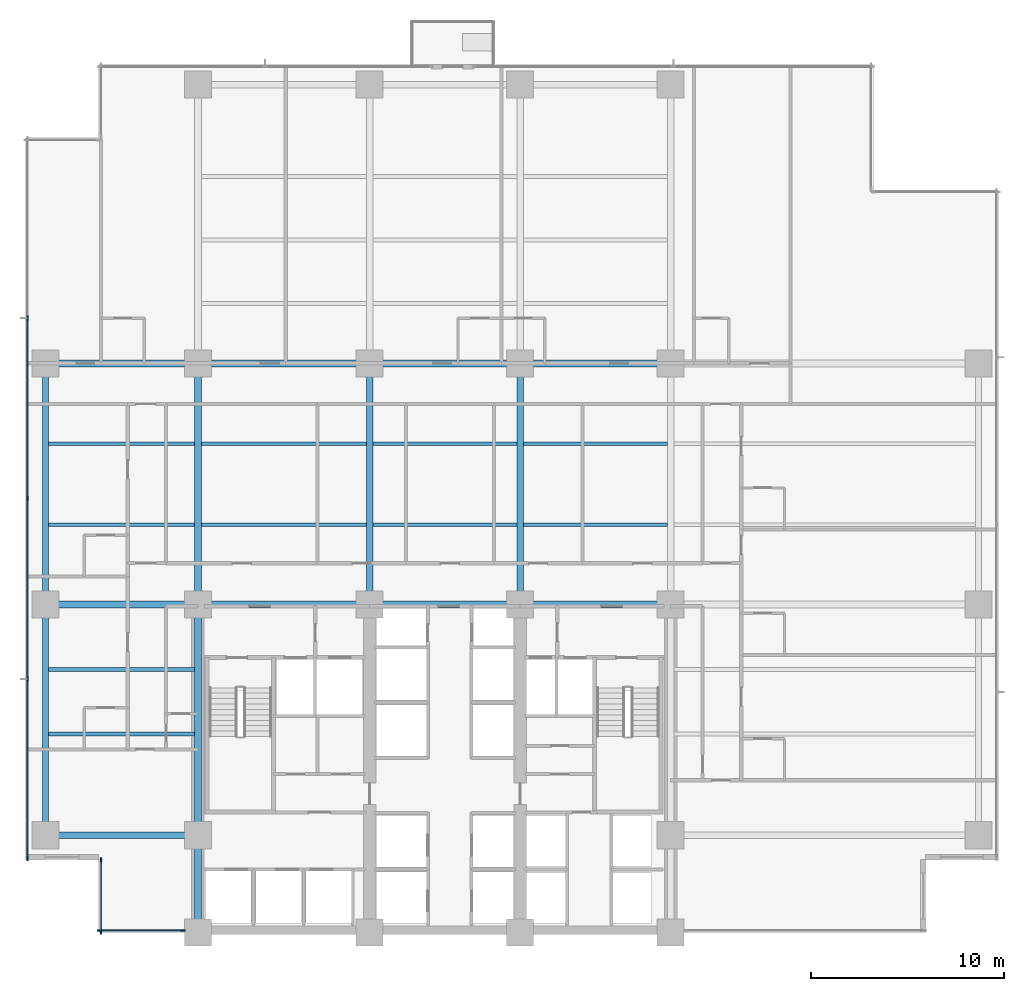
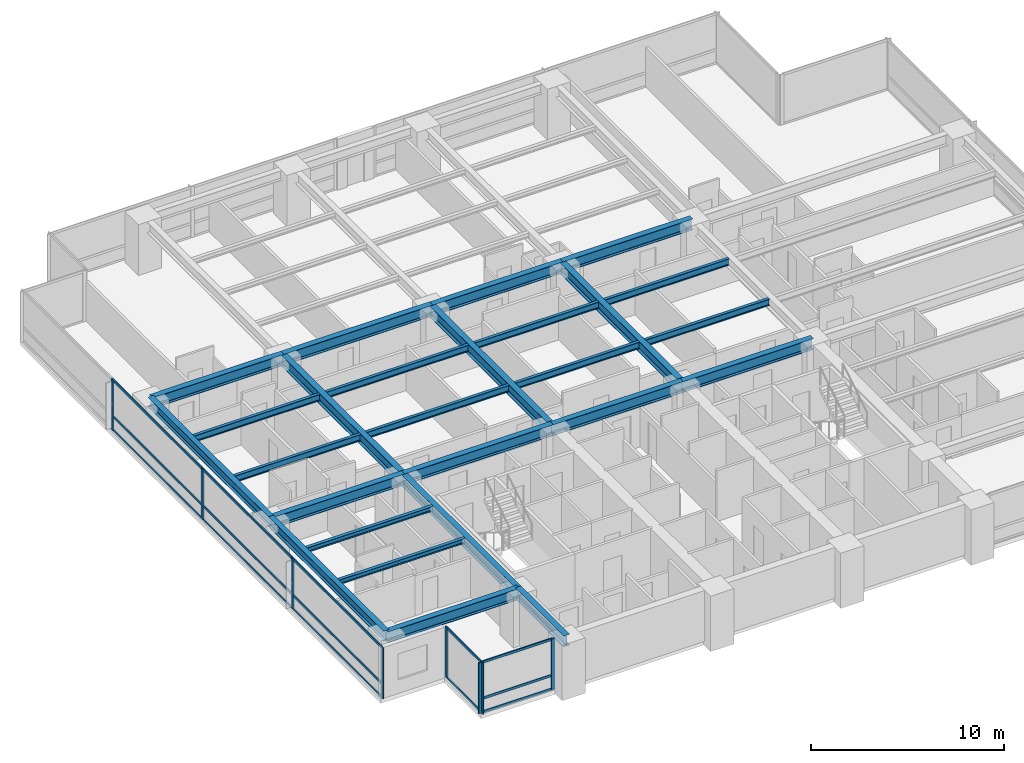
# One storey, part 2 of 17: 26 beams, 22 members, 3 elements without a shape of their own.
"""IFC4 building model written with IfcOpenShell, lengths in metres."""

from ifc_helpers import new_model, si_unit, direction, frame, origin, origin_2d, place, context, subcontext, project, spatial, rectangle, i_section, extrude, material, layer, layer_set, material_profile, profile_set, type_object, element, aggregate, save


model = new_model("IFC4")

# Units and contexts
model_context = context("Model", 3, precision=1e-05, world=origin(), true_north=direction((0.0, 1.0)))
body_context = subcontext(model_context, "Body", "Model", "MODEL_VIEW")
ifc_project = project(units=[si_unit("LENGTHUNIT", "METRE"), si_unit("AREAUNIT", "SQUARE_METRE"), si_unit("VOLUMEUNIT", "CUBIC_METRE"), si_unit("PLANEANGLEUNIT", "RADIAN"), si_unit("MASSUNIT", "GRAM", prefix="KILO")], contexts=[model_context])

# Site, building, storey
site_placement = place(None, origin())
site = spatial("IfcSite", under=ifc_project, at=site_placement, CompositionType="ELEMENT")
building_placement = place(site_placement, origin())
building = spatial("IfcBuilding", under=site, at=building_placement, Name="Qalmaran Belvedere Hotel", CompositionType="ELEMENT")
storey_placement = place(building_placement, frame((0.0, 0.0, 47.39990234375)))
storey = spatial("IfcBuildingStorey", under=building, at=storey_placement, Name="L11", CompositionType="ELEMENT", Elevation=47.39990234375)

# Beams
ifc_material_1 = material(Name="Steel S355JR", Category="steel")
ifc_material_profile_1 = material_profile(ifc_material_1, i_section(OverallWidth=0.202880859375, OverallDepth=0.302978515625, WebThickness=0.007568359375, FlangeThickness=0.01318359375, FilletRadius=0.012939453125, at=origin_2d()), Name="W310X60")
ifc_profile_set_1 = profile_set([ifc_material_profile_1], Name="Steel S355JR")
beam_type_1 = type_object("IfcBeamType", Name="BM-JST-W310X60", PredefinedType="JOIST", material=ifc_profile_set_1)
for number, where, z_axis, x_axis, name in (
    (1, (12.5615234375, 13.800048828125, 3.068603515625), (1.0, 0.0, 0.0), (0.0, 1.0, 0.0), "L11 West Wing Joist 038"),
    (2, (12.5615234375, 17.14990234375, 3.068603515625), (1.0, 0.0, 0.0), (0.0, 1.0, 0.0), "L11 West Wing Joist 040"),
):
    element("IfcBeam", number, at=place(storey_placement, frame(where, z_axis=z_axis, x_axis=x_axis)), inside=storey, type_object=beam_type_1, Name=name, PredefinedType="JOIST", context=body_context, shape_type="SweptSolid", body=[
        extrude(i_section(OverallWidth=0.202880859375, OverallDepth=0.302978515625, WebThickness=0.007568359375, FlangeThickness=0.01318359375, FilletRadius=0.012939453125, at=origin_2d()), origin(), (0.0, 0.0, 1.0), 7.56298828125),
    ])
ifc_material_profile_2 = material_profile(ifc_material_1, i_section(OverallWidth=0.180908203125, OverallDepth=0.4169921875, WebThickness=0.010986328125, FlangeThickness=0.018310546875, FilletRadius=0.014892578125, at=origin_2d()), Name="W410X85")
ifc_profile_set_2 = profile_set([ifc_material_profile_2], Name="Steel S355JR")
beam_type_2 = type_object("IfcBeamType", Name="BM-SB1-W410X85", PredefinedType="BEAM", material=ifc_profile_set_2)
beam_1_placement = place(storey_placement, frame((12.5615234375, 24.64990234375, 3.01171875), z_axis=(1.0, 0.0, 0.0), x_axis=(0.0, 1.0, 0.0)))
element("IfcBeam", 3, at=beam_1_placement, inside=storey, type_object=beam_type_2, Name="L11 West Secondary Beam 028", PredefinedType="BEAM", context=body_context, shape_type="SweptSolid", body=[
    extrude(i_section(OverallWidth=0.180908203125, OverallDepth=0.4169921875, WebThickness=0.010986328125, FlangeThickness=0.018310546875, FilletRadius=0.014892578125, at=origin_2d()), origin(), (0.0, 0.0, 1.0), 7.56298828125),
])
beam_2_placement = place(storey_placement, frame((20.4755859375, 24.64990234375, 3.01171875), z_axis=(1.0, 0.0, 0.0), x_axis=(0.0, 1.0, 0.0)))
element("IfcBeam", 4, at=beam_2_placement, inside=storey, type_object=beam_type_2, Name="L11 Secondary Floor Beam 029", PredefinedType="BEAM", context=body_context, shape_type="SweptSolid", body=[
    extrude(i_section(OverallWidth=0.180908203125, OverallDepth=0.4169921875, WebThickness=0.010986328125, FlangeThickness=0.018310546875, FilletRadius=0.014892578125, at=origin_2d()), origin(), (0.0, 0.0, 1.0), 8.548828125),
])
for number, where, z_axis, x_axis, name in (
    (5, (29.37548828125, 24.64990234375, 3.01171875), (1.0, 0.0, 0.0), (0.0, 1.0, 0.0), "L11 Secondary Floor Beam 030"),
    (6, (37.175537109375, 24.64990234375, 3.01171875), (1.0, 0.0, 0.0), (0.0, 1.0, 0.0), "L11 Secondary Floor Beam 031"),
):
    element("IfcBeam", number, at=place(storey_placement, frame(where, z_axis=z_axis, x_axis=x_axis)), inside=storey, type_object=beam_type_2, Name=name, PredefinedType="BEAM", context=body_context, shape_type="SweptSolid", body=[
        extrude(i_section(OverallWidth=0.180908203125, OverallDepth=0.4169921875, WebThickness=0.010986328125, FlangeThickness=0.018310546875, FilletRadius=0.014892578125, at=origin_2d()), origin(), (0.0, 0.0, 1.0), 7.448974609375),
    ])
beam_3_placement = place(storey_placement, frame((12.5615234375, 28.85009765625, 3.01171875), z_axis=(1.0, 0.0, 0.0), x_axis=(0.0, 1.0, 0.0)))
element("IfcBeam", 7, at=beam_3_placement, inside=storey, type_object=beam_type_2, Name="L11 West Secondary Beam 033", PredefinedType="BEAM", context=body_context, shape_type="SweptSolid", body=[
    extrude(i_section(OverallWidth=0.180908203125, OverallDepth=0.4169921875, WebThickness=0.010986328125, FlangeThickness=0.018310546875, FilletRadius=0.014892578125, at=origin_2d()), origin(), (0.0, 0.0, 1.0), 7.56298828125),
])
beam_4_placement = place(storey_placement, frame((20.4755859375, 28.85009765625, 3.01171875), z_axis=(1.0, 0.0, 0.0), x_axis=(0.0, 1.0, 0.0)))
element("IfcBeam", 8, at=beam_4_placement, inside=storey, type_object=beam_type_2, Name="L11 Secondary Floor Beam 034", PredefinedType="BEAM", context=body_context, shape_type="SweptSolid", body=[
    extrude(i_section(OverallWidth=0.180908203125, OverallDepth=0.4169921875, WebThickness=0.010986328125, FlangeThickness=0.018310546875, FilletRadius=0.014892578125, at=origin_2d()), origin(), (0.0, 0.0, 1.0), 8.548828125),
])
for number, where, z_axis, x_axis, name in (
    (9, (29.37548828125, 28.85009765625, 3.01171875), (1.0, 0.0, 0.0), (0.0, 1.0, 0.0), "L11 Secondary Floor Beam 035"),
    (10, (37.175537109375, 28.85009765625, 3.01171875), (1.0, 0.0, 0.0), (0.0, 1.0, 0.0), "L11 Secondary Floor Beam 036"),
):
    element("IfcBeam", number, at=place(storey_placement, frame(where, z_axis=z_axis, x_axis=x_axis)), inside=storey, type_object=beam_type_2, Name=name, PredefinedType="BEAM", context=body_context, shape_type="SweptSolid", body=[
        extrude(i_section(OverallWidth=0.180908203125, OverallDepth=0.4169921875, WebThickness=0.010986328125, FlangeThickness=0.018310546875, FilletRadius=0.014892578125, at=origin_2d()), origin(), (0.0, 0.0, 1.0), 7.448974609375),
    ])
ifc_material_profile_3 = material_profile(ifc_material_1, i_section(OverallWidth=0.326904296875, OverallDepth=0.6220703125, WebThickness=0.015380859375, FlangeThickness=0.0244140625, FilletRadius=0.02001953125, at=origin_2d()), Name="W610X195")
ifc_profile_set_3 = profile_set([ifc_material_profile_3], Name="Steel S355JR")
beam_type_3 = type_object("IfcBeamType", Name="BM-SP1-W610X195", PredefinedType="SPANDREL", material=ifc_profile_set_3)
beam_5_placement = place(storey_placement, frame((12.39990234375, 8.550048828125, 2.9091796875), z_axis=(0.0, 1.0, 0.0), x_axis=(-1.0, 0.0, 0.0)))
element("IfcBeam", 11, at=beam_5_placement, inside=storey, type_object=beam_type_3, Name="L11 Perimeter Spandrel 01", PredefinedType="SPANDREL", context=body_context, shape_type="SweptSolid", body=[
    extrude(i_section(OverallWidth=0.326904296875, OverallDepth=0.6220703125, WebThickness=0.015380859375, FlangeThickness=0.0244140625, FilletRadius=0.02001953125, at=origin_2d()), origin(), (0.0, 0.0, 1.0), 11.949951171875),
])
beam_6_placement = place(storey_placement, frame((12.39990234375, 20.5, 2.9091796875), z_axis=(0.0, 1.0, 0.0), x_axis=(-1.0, 0.0, 0.0)))
element("IfcBeam", 12, at=beam_6_placement, inside=storey, type_object=beam_type_3, Name="L11 Perimeter Spandrel 02", PredefinedType="SPANDREL", context=body_context, shape_type="SweptSolid", body=[
    extrude(i_section(OverallWidth=0.326904296875, OverallDepth=0.6220703125, WebThickness=0.015380859375, FlangeThickness=0.0244140625, FilletRadius=0.02001953125, at=origin_2d()), origin(), (0.0, 0.0, 1.0), 12.5),
])
ifc_material_profile_4 = material_profile(ifc_material_1, i_section(OverallWidth=0.35498046875, OverallDepth=0.695068359375, WebThickness=0.015380859375, FlangeThickness=0.02490234375, FilletRadius=0.02197265625, at=origin_2d()), Name="W690X217")
ifc_profile_set_4 = profile_set([ifc_material_profile_4], Name="Steel S355JR")
beam_type_4 = type_object("IfcBeamType", Name="BM-Z1-W690X217", PredefinedType="USERDEFINED", material=ifc_profile_set_4)
beam_7_placement = place(storey_placement, frame((20.300048828125, 20.5, 2.87255859375), z_axis=(1.0, 0.0, 0.0), x_axis=(0.0, 1.0, 0.0)))
element("IfcBeam", 13, at=beam_7_placement, inside=storey, type_object=beam_type_4, Name="L11 Interior E-W Girder 08", ObjectType="GIRDER", PredefinedType="USERDEFINED", context=body_context, shape_type="SweptSolid", body=[
    extrude(i_section(OverallWidth=0.35498046875, OverallDepth=0.695068359375, WebThickness=0.015380859375, FlangeThickness=0.02490234375, FilletRadius=0.02197265625, at=origin_2d()), origin(), (0.0, 0.0, 1.0), 8.89990234375),
])
for number, where, z_axis, x_axis, name in (
    (14, (29.199951171875, 20.5, 2.87255859375), (1.0, 0.0, 0.0), (0.0, 1.0, 0.0), "L11 Interior E-W Girder 09"),
    (15, (37.0, 20.5, 2.87255859375), (1.0, 0.0, 0.0), (0.0, 1.0, 0.0), "L11 Interior E-W Girder 10"),
):
    element("IfcBeam", number, at=place(storey_placement, frame(where, z_axis=z_axis, x_axis=x_axis)), inside=storey, type_object=beam_type_4, Name=name, ObjectType="GIRDER", PredefinedType="USERDEFINED", context=body_context, shape_type="SweptSolid", body=[
        extrude(i_section(OverallWidth=0.35498046875, OverallDepth=0.695068359375, WebThickness=0.015380859375, FlangeThickness=0.02490234375, FilletRadius=0.02197265625, at=origin_2d()), origin(), (0.0, 0.0, 1.0), 7.800048828125),
    ])
beam_8_placement = place(storey_placement, frame((20.300048828125, 33.0, 2.87255859375), z_axis=(1.0, 0.0, 0.0), x_axis=(0.0, 1.0, 0.0)))
element("IfcBeam", 16, at=beam_8_placement, inside=storey, type_object=beam_type_4, Name="L11 Interior E-W Girder 11", ObjectType="GIRDER", PredefinedType="USERDEFINED", context=body_context, shape_type="SweptSolid", body=[
    extrude(i_section(OverallWidth=0.35498046875, OverallDepth=0.695068359375, WebThickness=0.015380859375, FlangeThickness=0.02490234375, FilletRadius=0.02197265625, at=origin_2d()), origin(), (0.0, 0.0, 1.0), 8.89990234375),
])
for number, where, z_axis, x_axis, name in (
    (17, (29.199951171875, 33.0, 2.87255859375), (1.0, 0.0, 0.0), (0.0, 1.0, 0.0), "L11 Interior E-W Girder 12"),
    (18, (37.0, 33.0, 2.87255859375), (1.0, 0.0, 0.0), (0.0, 1.0, 0.0), "L11 Interior E-W Girder 13"),
):
    element("IfcBeam", number, at=place(storey_placement, frame(where, z_axis=z_axis, x_axis=x_axis)), inside=storey, type_object=beam_type_4, Name=name, ObjectType="GIRDER", PredefinedType="USERDEFINED", context=body_context, shape_type="SweptSolid", body=[
        extrude(i_section(OverallWidth=0.35498046875, OverallDepth=0.695068359375, WebThickness=0.015380859375, FlangeThickness=0.02490234375, FilletRadius=0.02197265625, at=origin_2d()), origin(), (0.0, 0.0, 1.0), 7.800048828125),
    ])
for number, where, z_axis, x_axis, name in (
    (19, (20.300048828125, 20.5, 2.87255859375), (0.0, 1.0, 0.0), (-1.0, 0.0, 0.0), "L11 Mid-Plate N-S Girder 14"),
    (20, (29.199951171875, 20.5, 2.87255859375), (0.0, 1.0, 0.0), (-1.0, 0.0, 0.0), "L11 Mid-Plate N-S Girder 16"),
    (21, (37.0, 20.5, 2.87255859375), (0.0, 1.0, 0.0), (-1.0, 0.0, 0.0), "L11 Mid-Plate N-S Girder 18"),
):
    element("IfcBeam", number, at=place(storey_placement, frame(where, z_axis=z_axis, x_axis=x_axis)), inside=storey, type_object=beam_type_4, Name=name, ObjectType="GIRDER", PredefinedType="USERDEFINED", context=body_context, shape_type="SweptSolid", body=[
        extrude(i_section(OverallWidth=0.35498046875, OverallDepth=0.695068359375, WebThickness=0.015380859375, FlangeThickness=0.02490234375, FilletRadius=0.02197265625, at=origin_2d()), origin(), (0.0, 0.0, 1.0), 12.5),
    ])
for number, where, z_axis, x_axis, name in (
    (22, (12.39990234375, 8.550048828125, 2.87255859375), (1.0, 0.0, 0.0), (0.0, 1.0, 0.0), "L11 West Wing Girder 22"),
    (23, (12.39990234375, 20.5, 2.87255859375), (1.0, 0.0, 0.0), (0.0, 1.0, 0.0), "L11 West Wing Girder 23"),
    (24, (12.39990234375, 33.0, 2.87255859375), (1.0, 0.0, 0.0), (0.0, 1.0, 0.0), "L11 West Wing Girder 24"),
):
    element("IfcBeam", number, at=place(storey_placement, frame(where, z_axis=z_axis, x_axis=x_axis)), inside=storey, type_object=beam_type_4, Name=name, ObjectType="GIRDER", PredefinedType="USERDEFINED", context=body_context, shape_type="SweptSolid", body=[
        extrude(i_section(OverallWidth=0.35498046875, OverallDepth=0.695068359375, WebThickness=0.015380859375, FlangeThickness=0.02490234375, FilletRadius=0.02197265625, at=origin_2d()), origin(), (0.0, 0.0, 1.0), 7.900146484375),
    ])
beam_9_placement = place(storey_placement, frame((20.300048828125, 3.5, 2.87255859375), z_axis=(0.0, 1.0, 0.0), x_axis=(-1.0, 0.0, 0.0)))
element("IfcBeam", 25, at=beam_9_placement, inside=storey, type_object=beam_type_4, Name="L11 West Core Edge Girder A", ObjectType="GIRDER", PredefinedType="USERDEFINED", context=body_context, shape_type="SweptSolid", body=[
    extrude(i_section(OverallWidth=0.35498046875, OverallDepth=0.695068359375, WebThickness=0.015380859375, FlangeThickness=0.02490234375, FilletRadius=0.02197265625, at=origin_2d()), origin(), (0.0, 0.0, 1.0), 5.050048828125),
])
beam_10_placement = place(storey_placement, frame((20.300048828125, 8.550048828125, 2.87255859375), z_axis=(0.0, 1.0, 0.0), x_axis=(-1.0, 0.0, 0.0)))
element("IfcBeam", 26, at=beam_10_placement, inside=storey, type_object=beam_type_4, Name="L11 West Core Edge Girder B", ObjectType="GIRDER", PredefinedType="USERDEFINED", context=body_context, shape_type="SweptSolid", body=[
    extrude(i_section(OverallWidth=0.35498046875, OverallDepth=0.695068359375, WebThickness=0.015380859375, FlangeThickness=0.02490234375, FilletRadius=0.02197265625, at=origin_2d()), origin(), (0.0, 0.0, 1.0), 11.949951171875),
])

# Curtain wall, members
ifc_material_2 = material(Name="Anodised Bronze Aluminium", Category="aluminium")
ifc_layer = layer(ifc_material_2, 0.2099609375, Name="Anodised Bronze Aluminium")
ifc_layer_set = layer_set([ifc_layer], Name="Anodised Bronze Aluminium")
curtain_wall_type = type_object("IfcCurtainWallType", Name="CW2-TOWER-LOWER", PredefinedType="NOTDEFINED", material=ifc_layer_set)
curtain_wall_1_placement = place(storey_placement, origin())
curtain_wall_1 = element("IfcCurtainWall", 27, at=curtain_wall_1_placement, inside=storey, type_object=curtain_wall_type, Name="L11 Curtain Wall CW2", PredefinedType="NOTDEFINED")
ifc_material_profile_5 = material_profile(ifc_material_2, rectangle(XDim=0.074951171875, YDim=0.219970703125, at=origin_2d()), Name="CWM75X220")
ifc_profile_set_5 = profile_set([ifc_material_profile_5], Name="Anodised Bronze Aluminium")
member_type_1 = type_object("IfcMemberType", Name="CWM-75X220", PredefinedType="MULLION", material=ifc_profile_set_5)
member_1_placement = place(storey_placement, frame((15.1875, 3.6201171875, 0.0), z_axis=(0.0, 0.0, 1.0), x_axis=(0.0, 1.0, 0.0)))
member_1 = element("IfcMember", 28, at=member_1_placement, type_object=member_type_1, Name="CW2 mullion 1", PredefinedType="MULLION", context=body_context, shape_type="SweptSolid", body=[
    extrude(rectangle(XDim=0.074951171875, YDim=0.219970703125, at=origin_2d()), origin(), (0.0, 0.0, 1.0), 3.22021484375),
])
member_2_placement = place(storey_placement, frame((19.5224609375, 3.6201171875, 0.0), z_axis=(0.0, 0.0, 1.0), x_axis=(0.0, 1.0, 0.0)))
member_2 = element("IfcMember", 29, at=member_2_placement, type_object=member_type_1, Name="CW2 mullion 2", PredefinedType="MULLION", context=body_context, shape_type="SweptSolid", body=[
    extrude(rectangle(XDim=0.074951171875, YDim=0.219970703125, at=origin_2d()), origin(), (0.0, 0.0, 1.0), 3.22021484375),
])

curtain_wall_2_placement = place(storey_placement, origin())
curtain_wall_2 = element("IfcCurtainWall", 30, at=curtain_wall_2_placement, inside=storey, type_object=curtain_wall_type, Name="L11 Curtain Wall CW2", PredefinedType="NOTDEFINED")
member_3_placement = place(storey_placement, frame((11.469970703125, 35.35009765625, 0.0), z_axis=(0.0, 0.0, 1.0), x_axis=(1.0, 0.0, 0.0)))
member_3 = element("IfcMember", 31, at=member_3_placement, type_object=member_type_1, Name="CW2 mullion 2", PredefinedType="MULLION", context=body_context, shape_type="SweptSolid", body=[
    extrude(rectangle(XDim=0.074951171875, YDim=0.219970703125, at=origin_2d()), origin(), (0.0, 0.0, 1.0), 3.22021484375),
])
member_4_placement = place(storey_placement, frame((11.469970703125, 26.0, 0.0), z_axis=(0.0, 0.0, 1.0), x_axis=(1.0, 0.0, 0.0)))
member_4 = element("IfcMember", 32, at=member_4_placement, type_object=member_type_1, Name="CW2 mullion 3", PredefinedType="MULLION", context=body_context, shape_type="SweptSolid", body=[
    extrude(rectangle(XDim=0.074951171875, YDim=0.219970703125, at=origin_2d()), origin(), (0.0, 0.0, 1.0), 3.22021484375),
])
member_5_placement = place(storey_placement, frame((11.469970703125, 16.64990234375, 0.0), z_axis=(0.0, 0.0, 1.0), x_axis=(1.0, 0.0, 0.0)))
member_5 = element("IfcMember", 33, at=member_5_placement, type_object=member_type_1, Name="CW2 mullion 4", PredefinedType="MULLION", context=body_context, shape_type="SweptSolid", body=[
    extrude(rectangle(XDim=0.074951171875, YDim=0.219970703125, at=origin_2d()), origin(), (0.0, 0.0, 1.0), 3.22021484375),
])
member_6_placement = place(storey_placement, frame((11.469970703125, 7.33740234375, 0.0), z_axis=(0.0, 0.0, 1.0), x_axis=(1.0, 0.0, 0.0)))
member_6 = element("IfcMember", 34, at=member_6_placement, type_object=member_type_1, Name="CW2 mullion 5", PredefinedType="MULLION", context=body_context, shape_type="SweptSolid", body=[
    extrude(rectangle(XDim=0.074951171875, YDim=0.219970703125, at=origin_2d()), origin(), (0.0, 0.0, 1.0), 3.22021484375),
])

curtain_wall_3_placement = place(storey_placement, origin())
curtain_wall_3 = element("IfcCurtainWall", 35, at=curtain_wall_3_placement, inside=storey, type_object=curtain_wall_type, Name="L11 Curtain Wall CW2", PredefinedType="NOTDEFINED")
member_7_placement = place(storey_placement, frame((15.27001953125, 7.262451171875, 0.0), z_axis=(0.0, 0.0, 1.0), x_axis=(1.0, 0.0, 0.0)))
member_7 = element("IfcMember", 36, at=member_7_placement, type_object=member_type_1, Name="CW2 mullion 1", PredefinedType="MULLION", context=body_context, shape_type="SweptSolid", body=[
    extrude(rectangle(XDim=0.074951171875, YDim=0.219970703125, at=origin_2d()), origin(), (0.0, 0.0, 1.0), 3.22021484375),
])
member_8_placement = place(storey_placement, frame((15.27001953125, 3.53759765625, 0.0), z_axis=(0.0, 0.0, 1.0), x_axis=(1.0, 0.0, 0.0)))
member_8 = element("IfcMember", 37, at=member_8_placement, type_object=member_type_1, Name="CW2 mullion 2", PredefinedType="MULLION", context=body_context, shape_type="SweptSolid", body=[
    extrude(rectangle(XDim=0.074951171875, YDim=0.219970703125, at=origin_2d()), origin(), (0.0, 0.0, 1.0), 3.22021484375),
])

# Member
ifc_material_profile_6 = material_profile(ifc_material_2, rectangle(XDim=0.070068359375, YDim=0.14990234375, at=origin_2d()), Name="CWT70X150")
ifc_profile_set_6 = profile_set([ifc_material_profile_6], Name="Anodised Bronze Aluminium")
member_type_2 = type_object("IfcMemberType", Name="CWT-70X150", PredefinedType="USERDEFINED", material=ifc_profile_set_6)
member_9_placement = place(storey_placement, frame((15.22509765625, 3.6201171875, 0.03515625), z_axis=(1.0, 0.0, 0.0), x_axis=(0.0, 1.0, 0.0)))
member_9 = element("IfcMember", 38, at=member_9_placement, type_object=member_type_2, Name="CW2 transom 1.1", ObjectType="TRANSOM", PredefinedType="USERDEFINED", context=body_context, shape_type="SweptSolid", body=[
    extrude(rectangle(XDim=0.070068359375, YDim=0.14990234375, at=origin_2d()), origin(), (0.0, 0.0, 1.0), 4.260009765625),
])

member_10_placement = place(storey_placement, frame((15.22509765625, 3.6201171875, 0.901611328125), z_axis=(1.0, 0.0, 0.0), x_axis=(0.0, 1.0, 0.0)))
member_10 = element("IfcMember", 39, at=member_10_placement, type_object=member_type_2, Name="CW2 transom 1.2", ObjectType="TRANSOM", PredefinedType="USERDEFINED", context=body_context, shape_type="SweptSolid", body=[
    extrude(rectangle(XDim=0.070068359375, YDim=0.14990234375, at=origin_2d()), origin(), (0.0, 0.0, 1.0), 4.260009765625),
])

member_11_placement = place(storey_placement, frame((15.22509765625, 3.6201171875, 3.18505859375), z_axis=(1.0, 0.0, 0.0), x_axis=(0.0, 1.0, 0.0)))
member_11 = element("IfcMember", 40, at=member_11_placement, type_object=member_type_2, Name="CW2 transom 1.3", ObjectType="TRANSOM", PredefinedType="USERDEFINED", context=body_context, shape_type="SweptSolid", body=[
    extrude(rectangle(XDim=0.070068359375, YDim=0.14990234375, at=origin_2d()), origin(), (0.0, 0.0, 1.0), 4.260009765625),
])

aggregate(curtain_wall_1, [member_1, member_2, member_9, member_10, member_11])

member_12_placement = place(storey_placement, frame((11.469970703125, 35.3125, 0.03515625), z_axis=(0.0, -1.0, 0.0), x_axis=(1.0, 0.0, 0.0)))
member_12 = element("IfcMember", 41, at=member_12_placement, type_object=member_type_2, Name="CW2 transom 2.1", ObjectType="TRANSOM", PredefinedType="USERDEFINED", context=body_context, shape_type="SweptSolid", body=[
    extrude(rectangle(XDim=0.070068359375, YDim=0.14990234375, at=origin_2d()), origin(), (0.0, 0.0, 1.0), 9.27490234375),
])

member_13_placement = place(storey_placement, frame((11.469970703125, 35.3125, 0.901611328125), z_axis=(0.0, -1.0, 0.0), x_axis=(1.0, 0.0, 0.0)))
member_13 = element("IfcMember", 42, at=member_13_placement, type_object=member_type_2, Name="CW2 transom 2.2", ObjectType="TRANSOM", PredefinedType="USERDEFINED", context=body_context, shape_type="SweptSolid", body=[
    extrude(rectangle(XDim=0.070068359375, YDim=0.14990234375, at=origin_2d()), origin(), (0.0, 0.0, 1.0), 9.27490234375),
])

member_14_placement = place(storey_placement, frame((11.469970703125, 35.3125, 3.18505859375), z_axis=(0.0, -1.0, 0.0), x_axis=(1.0, 0.0, 0.0)))
member_14 = element("IfcMember", 43, at=member_14_placement, type_object=member_type_2, Name="CW2 transom 2.3", ObjectType="TRANSOM", PredefinedType="USERDEFINED", context=body_context, shape_type="SweptSolid", body=[
    extrude(rectangle(XDim=0.070068359375, YDim=0.14990234375, at=origin_2d()), origin(), (0.0, 0.0, 1.0), 9.27490234375),
])

member_15_placement = place(storey_placement, frame((11.469970703125, 25.96240234375, 0.03515625), z_axis=(0.0, -1.0, 0.0), x_axis=(1.0, 0.0, 0.0)))
member_15 = element("IfcMember", 44, at=member_15_placement, type_object=member_type_2, Name="CW2 transom 3.1", ObjectType="TRANSOM", PredefinedType="USERDEFINED", context=body_context, shape_type="SweptSolid", body=[
    extrude(rectangle(XDim=0.070068359375, YDim=0.14990234375, at=origin_2d()), origin(), (0.0, 0.0, 1.0), 9.27490234375),
])

member_16_placement = place(storey_placement, frame((11.469970703125, 25.96240234375, 0.901611328125), z_axis=(0.0, -1.0, 0.0), x_axis=(1.0, 0.0, 0.0)))
member_16 = element("IfcMember", 45, at=member_16_placement, type_object=member_type_2, Name="CW2 transom 3.2", ObjectType="TRANSOM", PredefinedType="USERDEFINED", context=body_context, shape_type="SweptSolid", body=[
    extrude(rectangle(XDim=0.070068359375, YDim=0.14990234375, at=origin_2d()), origin(), (0.0, 0.0, 1.0), 9.27490234375),
])

member_17_placement = place(storey_placement, frame((11.469970703125, 25.96240234375, 3.18505859375), z_axis=(0.0, -1.0, 0.0), x_axis=(1.0, 0.0, 0.0)))
member_17 = element("IfcMember", 46, at=member_17_placement, type_object=member_type_2, Name="CW2 transom 3.3", ObjectType="TRANSOM", PredefinedType="USERDEFINED", context=body_context, shape_type="SweptSolid", body=[
    extrude(rectangle(XDim=0.070068359375, YDim=0.14990234375, at=origin_2d()), origin(), (0.0, 0.0, 1.0), 9.27490234375),
])

member_18_placement = place(storey_placement, frame((11.469970703125, 16.612548828125, 0.03515625), z_axis=(0.0, -1.0, 0.0), x_axis=(1.0, 0.0, 0.0)))
member_18 = element("IfcMember", 47, at=member_18_placement, type_object=member_type_2, Name="CW2 transom 4.1", ObjectType="TRANSOM", PredefinedType="USERDEFINED", context=body_context, shape_type="SweptSolid", body=[
    extrude(rectangle(XDim=0.070068359375, YDim=0.14990234375, at=origin_2d()), origin(), (0.0, 0.0, 1.0), 9.237548828125),
])

member_19_placement = place(storey_placement, frame((11.469970703125, 16.612548828125, 0.901611328125), z_axis=(0.0, -1.0, 0.0), x_axis=(1.0, 0.0, 0.0)))
member_19 = element("IfcMember", 48, at=member_19_placement, type_object=member_type_2, Name="CW2 transom 4.2", ObjectType="TRANSOM", PredefinedType="USERDEFINED", context=body_context, shape_type="SweptSolid", body=[
    extrude(rectangle(XDim=0.070068359375, YDim=0.14990234375, at=origin_2d()), origin(), (0.0, 0.0, 1.0), 9.237548828125),
])

member_20_placement = place(storey_placement, frame((11.469970703125, 16.612548828125, 3.18505859375), z_axis=(0.0, -1.0, 0.0), x_axis=(1.0, 0.0, 0.0)))
member_20 = element("IfcMember", 49, at=member_20_placement, type_object=member_type_2, Name="CW2 transom 4.3", ObjectType="TRANSOM", PredefinedType="USERDEFINED", context=body_context, shape_type="SweptSolid", body=[
    extrude(rectangle(XDim=0.070068359375, YDim=0.14990234375, at=origin_2d()), origin(), (0.0, 0.0, 1.0), 9.237548828125),
])

aggregate(curtain_wall_2, [member_3, member_4, member_5, member_6, member_12, member_13, member_14, member_15, member_16, member_17, member_18, member_19, member_20])

member_21_placement = place(storey_placement, frame((15.27001953125, 7.22509765625, 0.03515625), z_axis=(0.0, -1.0, 0.0), x_axis=(1.0, 0.0, 0.0)))
member_21 = element("IfcMember", 50, at=member_21_placement, type_object=member_type_2, Name="CW2 transom 1.1", ObjectType="TRANSOM", PredefinedType="USERDEFINED", context=body_context, shape_type="SweptSolid", body=[
    extrude(rectangle(XDim=0.070068359375, YDim=0.14990234375, at=origin_2d()), origin(), (0.0, 0.0, 1.0), 3.650146484375),
])

member_22_placement = place(storey_placement, frame((15.27001953125, 7.22509765625, 3.18505859375), z_axis=(0.0, -1.0, 0.0), x_axis=(1.0, 0.0, 0.0)))
member_22 = element("IfcMember", 51, at=member_22_placement, type_object=member_type_2, Name="CW2 transom 1.2", ObjectType="TRANSOM", PredefinedType="USERDEFINED", context=body_context, shape_type="SweptSolid", body=[
    extrude(rectangle(XDim=0.070068359375, YDim=0.14990234375, at=origin_2d()), origin(), (0.0, 0.0, 1.0), 3.650146484375),
])

aggregate(curtain_wall_3, [member_7, member_8, member_21, member_22])

save(model, "model.ifc")
